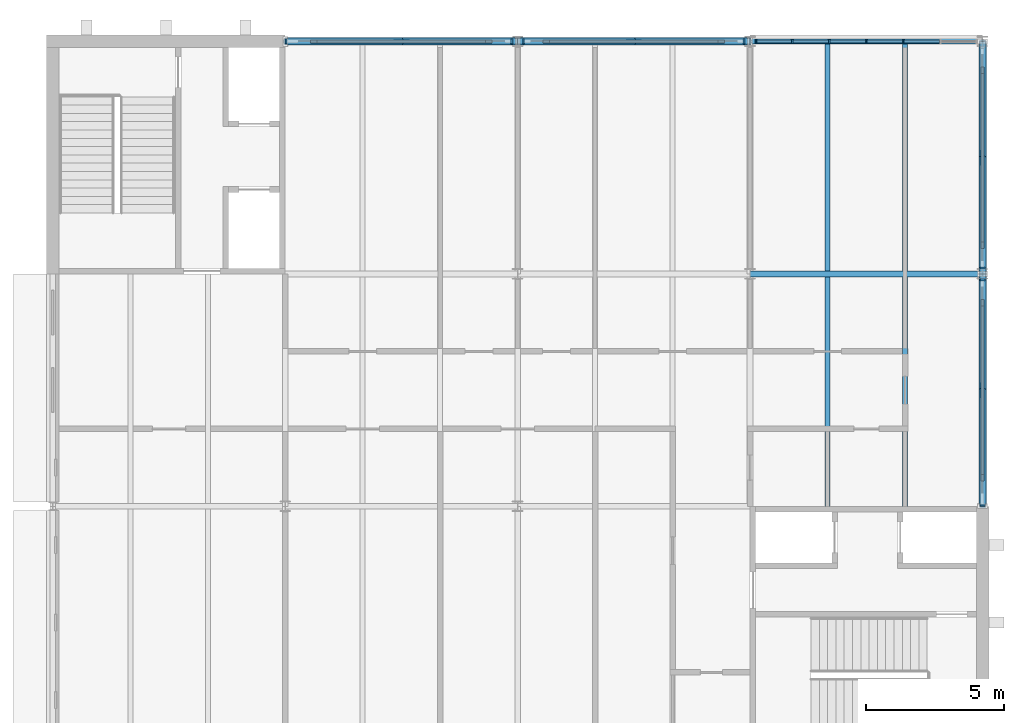
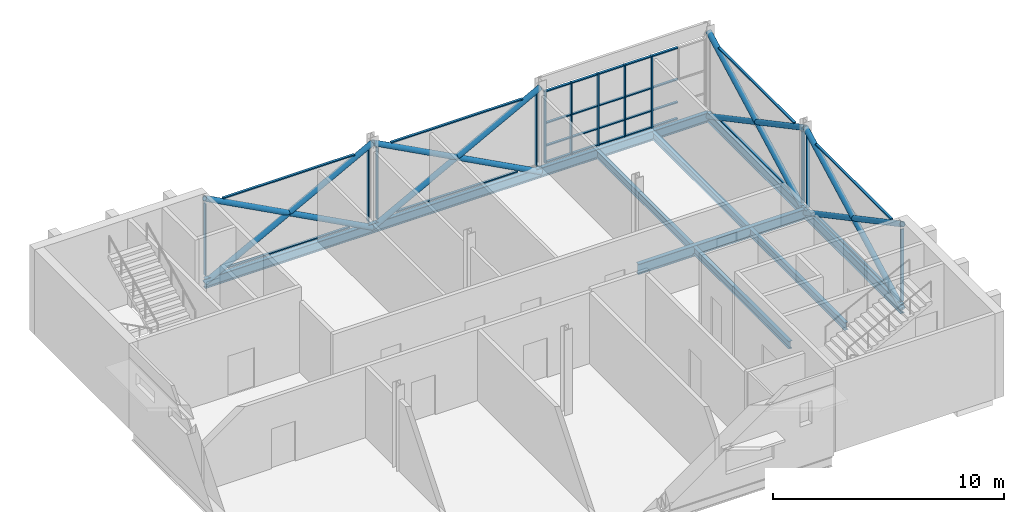
# One storey, part 8 of 22: 52 members, 10 beams, 5 elements without a shape of their own.
"""IFC4 building model written with IfcOpenShell, lengths in metres."""

from ifc_helpers import new_model, si_unit, direction, frame, origin, origin_2d, place, context, subcontext, project, spatial, rectangle, hollow_circle, i_section, extrude, material, layer, layer_set, material_profile, profile_set, type_object, element, aggregate, save


model = new_model("IFC4")

# Units and contexts
model_context = context("Model", 3, precision=1e-05, world=origin(), true_north=direction((0.0, 1.0)))
body_context = subcontext(model_context, "Body", "Model", "MODEL_VIEW")
ifc_project = project(units=[si_unit("LENGTHUNIT", "METRE"), si_unit("AREAUNIT", "SQUARE_METRE"), si_unit("VOLUMEUNIT", "CUBIC_METRE"), si_unit("PLANEANGLEUNIT", "RADIAN"), si_unit("MASSUNIT", "GRAM", prefix="KILO")], contexts=[model_context])

# Site, building, storey
site_placement = place(None, origin())
site = spatial("IfcSite", under=ifc_project, at=site_placement, CompositionType="ELEMENT")
building_placement = place(site_placement, origin())
building = spatial("IfcBuilding", under=site, at=building_placement, Name="Ardhachandra Cancer Care Centre", CompositionType="ELEMENT")
storey_placement = place(building_placement, frame((0.0, 0.0, 18.0)))
storey = spatial("IfcBuildingStorey", under=building, at=storey_placement, Name="L04", CompositionType="ELEMENT", Elevation=18.0)

# Beams
ifc_material_1 = material(Name="Steel E350 (IS 2062)", Category="steel")
ifc_material_profile_1 = material_profile(ifc_material_1, i_section(OverallWidth=0.179931640625, OverallDepth=0.39990234375, WebThickness=0.008544921875, FlangeThickness=0.013427734375, FilletRadius=0.02099609375, at=origin_2d()), Name="NPB 400x180x66.30")
ifc_profile_set_1 = profile_set([ifc_material_profile_1], Name="Steel E350 (IS 2062)")
beam_type_1 = type_object("IfcBeamType", Name="Beam NPB 400x180x66.30", PredefinedType="BEAM", material=ifc_profile_set_1)
beam_1_placement = place(storey_placement, frame((139.60009765625, 88.199951171875, -0.35009765625), z_axis=(0.0, 1.0, 0.0), x_axis=(-1.0, 0.0, 0.0)))
element("IfcBeam", 1, at=beam_1_placement, inside=storey, type_object=beam_type_1, Name="Secondary K16-L16@2800", PredefinedType="BEAM", context=body_context, shape_type="SweptSolid", body=[
    extrude(i_section(OverallWidth=0.179931640625, OverallDepth=0.39990234375, WebThickness=0.008544921875, FlangeThickness=0.013427734375, FilletRadius=0.02099609375, at=origin_2d()), origin(), (0.0, 0.0, 1.0), 8.295166015625),
])
beam_2_placement = place(storey_placement, frame((139.60009765625, 96.705078125, -0.35009765625), z_axis=(0.0, 1.0, 0.0), x_axis=(-1.0, 0.0, 0.0)))
element("IfcBeam", 2, at=beam_2_placement, inside=storey, type_object=beam_type_1, Name="Secondary L16-M16@2800", PredefinedType="BEAM", context=body_context, shape_type="SweptSolid", body=[
    extrude(i_section(OverallWidth=0.179931640625, OverallDepth=0.39990234375, WebThickness=0.008544921875, FlangeThickness=0.013427734375, FilletRadius=0.02099609375, at=origin_2d()), origin(), (0.0, 0.0, 1.0), 8.19482421875),
])
beam_3_placement = place(storey_placement, frame((142.39990234375, 88.199951171875, -0.35009765625), z_axis=(0.0, 1.0, 0.0), x_axis=(-1.0, 0.0, 0.0)))
element("IfcBeam", 3, at=beam_3_placement, inside=storey, type_object=beam_type_1, Name="Secondary K16-L16@5600", PredefinedType="BEAM", context=body_context, shape_type="SweptSolid", body=[
    extrude(i_section(OverallWidth=0.179931640625, OverallDepth=0.39990234375, WebThickness=0.008544921875, FlangeThickness=0.013427734375, FilletRadius=0.02099609375, at=origin_2d()), origin(), (0.0, 0.0, 1.0), 8.295166015625),
])
beam_4_placement = place(storey_placement, frame((142.39990234375, 96.705078125, -0.35009765625), z_axis=(0.0, 1.0, 0.0), x_axis=(-1.0, 0.0, 0.0)))
element("IfcBeam", 4, at=beam_4_placement, inside=storey, type_object=beam_type_1, Name="Secondary L16-M16@5600", PredefinedType="BEAM", context=body_context, shape_type="SweptSolid", body=[
    extrude(i_section(OverallWidth=0.179931640625, OverallDepth=0.39990234375, WebThickness=0.008544921875, FlangeThickness=0.013427734375, FilletRadius=0.02099609375, at=origin_2d()), origin(), (0.0, 0.0, 1.0), 8.19482421875),
])
ifc_material_2 = material(Name="Steel E350 (IS 2062)", Category="steel")
ifc_material_profile_2 = material_profile(ifc_material_2, i_section(OverallWidth=0.199951171875, OverallDepth=0.5, WebThickness=0.01025390625, FlangeThickness=0.01611328125, FilletRadius=0.02099609375, at=origin_2d()), Name="NPB 500x200x90.68")
ifc_profile_set_2 = profile_set([ifc_material_profile_2], Name="Steel E350 (IS 2062)")
beam_type_2 = type_object("IfcBeamType", Name="Beam NPB 500x200x90.68", PredefinedType="BEAM", material=ifc_profile_set_2)
beam_5_placement = place(storey_placement, frame((120.0, 105.0, -0.39990234375), z_axis=(1.0, 0.0, 0.0), x_axis=(0.0, 1.0, 0.0)))
element("IfcBeam", 5, at=beam_5_placement, inside=storey, type_object=beam_type_2, Name="Edge girder M14-M15", PredefinedType="BEAM", context=body_context, shape_type="SweptSolid", body=[
    extrude(i_section(OverallWidth=0.199951171875, OverallDepth=0.5, WebThickness=0.01025390625, FlangeThickness=0.01611328125, FilletRadius=0.02099609375, at=origin_2d()), origin(), (0.0, 0.0, 1.0), 8.39990234375),
])
beam_6_placement = place(storey_placement, frame((128.39990234375, 105.0, -0.39990234375), z_axis=(1.0, 0.0, 0.0), x_axis=(0.0, 1.0, 0.0)))
element("IfcBeam", 6, at=beam_6_placement, inside=storey, type_object=beam_type_2, Name="Edge girder M15-M16", PredefinedType="BEAM", context=body_context, shape_type="SweptSolid", body=[
    extrude(i_section(OverallWidth=0.199951171875, OverallDepth=0.5, WebThickness=0.01025390625, FlangeThickness=0.01611328125, FilletRadius=0.02099609375, at=origin_2d()), origin(), (0.0, 0.0, 1.0), 8.400146484375),
])
beam_7_placement = place(storey_placement, frame((136.800048828125, 105.0, -0.39990234375), z_axis=(1.0, 0.0, 0.0), x_axis=(0.0, 1.0, 0.0)))
element("IfcBeam", 7, at=beam_7_placement, inside=storey, type_object=beam_type_2, Name="Edge girder M16-M17", PredefinedType="BEAM", context=body_context, shape_type="SweptSolid", body=[
    extrude(i_section(OverallWidth=0.199951171875, OverallDepth=0.5, WebThickness=0.01025390625, FlangeThickness=0.01611328125, FilletRadius=0.02099609375, at=origin_2d()), origin(), (0.0, 0.0, 1.0), 8.39990234375),
])
beam_8_placement = place(storey_placement, frame((145.199951171875, 88.199951171875, -0.39990234375), z_axis=(0.0, 1.0, 0.0), x_axis=(-1.0, 0.0, 0.0)))
element("IfcBeam", 8, at=beam_8_placement, inside=storey, type_object=beam_type_2, Name="Edge girder K17-L17", PredefinedType="BEAM", context=body_context, shape_type="SweptSolid", body=[
    extrude(i_section(OverallWidth=0.199951171875, OverallDepth=0.5, WebThickness=0.01025390625, FlangeThickness=0.01611328125, FilletRadius=0.02099609375, at=origin_2d()), origin(), (0.0, 0.0, 1.0), 8.400146484375),
])
beam_9_placement = place(storey_placement, frame((145.199951171875, 96.60009765625, -0.39990234375), z_axis=(0.0, 1.0, 0.0), x_axis=(-1.0, 0.0, 0.0)))
element("IfcBeam", 9, at=beam_9_placement, inside=storey, type_object=beam_type_2, Name="Edge girder L17-M17", PredefinedType="BEAM", context=body_context, shape_type="SweptSolid", body=[
    extrude(i_section(OverallWidth=0.199951171875, OverallDepth=0.5, WebThickness=0.01025390625, FlangeThickness=0.01611328125, FilletRadius=0.02099609375, at=origin_2d()), origin(), (0.0, 0.0, 1.0), 8.39990234375),
])
ifc_material_3 = material(Name="Steel E350 (IS 2062)", Category="steel")
ifc_material_profile_3 = material_profile(ifc_material_3, i_section(OverallWidth=0.2099609375, OverallDepth=0.550048828125, WebThickness=0.010986328125, FlangeThickness=0.01708984375, FilletRadius=0.02392578125, at=origin_2d()), Name="NPB 550x210x105.52")
ifc_profile_set_3 = profile_set([ifc_material_profile_3], Name="Steel E350 (IS 2062)")
beam_type_3 = type_object("IfcBeamType", Name="Beam NPB 550x210x105.52", PredefinedType="BEAM", material=ifc_profile_set_3)
beam_10_placement = place(storey_placement, frame((136.800048828125, 96.60009765625, -0.425048828125), z_axis=(1.0, 0.0, 0.0), x_axis=(0.0, 1.0, 0.0)))
element("IfcBeam", 10, at=beam_10_placement, inside=storey, type_object=beam_type_3, Name="Girder L16-L17", PredefinedType="BEAM", context=body_context, shape_type="SweptSolid", body=[
    extrude(i_section(OverallWidth=0.2099609375, OverallDepth=0.550048828125, WebThickness=0.010986328125, FlangeThickness=0.01708984375, FilletRadius=0.02392578125, at=origin_2d()), origin(), (0.0, 0.0, 1.0), 8.39990234375),
])

# Members
ifc_material_4 = material(Name="Steel E350 (IS 2062)", Category="steel")
ifc_material_profile_4 = material_profile(ifc_material_4, hollow_circle(Radius=0.136474609375, WallThickness=0.010009765625, at=origin_2d()), Name="CHS 273x10.0")
ifc_profile_set_4 = profile_set([ifc_material_profile_4], Name="Steel E350 (IS 2062)")
member_type_1 = type_object("IfcMemberType", Name="Brace CHS 273x10.0", PredefinedType="BRACE", material=ifc_profile_set_4)
member_1_placement = place(storey_placement, frame((120.0, 105.0, -0.39990234375), z_axis=(0.882575099009, 0.0, 0.470171452355), x_axis=(0.0, 1.0, 0.0)))
element("IfcMember", 11, at=member_1_placement, inside=storey, type_object=member_type_1, Name="Brace V5-X1050-1200 L04 A", PredefinedType="BRACE", context=body_context, shape_type="SweptSolid", body=[
    extrude(hollow_circle(Radius=0.136474609375, WallThickness=0.010009765625, at=origin_2d()), origin(), (0.0, 0.0, 1.0), 9.517578125),
])
for number, where, z_axis, x_axis, name in (
    (12, (128.39990234375, 105.0, -0.39990234375), (-0.882585743414, 0.0, 0.470151470828), (0.0, -1.0, 0.0), "Brace V5-X1050-1200 L04 B1"),
    (13, (124.199951171875, 105.0, 1.83740234375), (-0.882564454407, 0.0, 0.47019143316), (0.0, -1.0, 0.0), "Brace V5-X1050-1200 L04 B2"),
):
    element("IfcMember", number, at=place(storey_placement, frame(where, z_axis=z_axis, x_axis=x_axis)), inside=storey, type_object=member_type_1, Name=name, PredefinedType="BRACE", context=body_context, shape_type="SweptSolid", body=[
        extrude(hollow_circle(Radius=0.136474609375, WallThickness=0.010009765625, at=origin_2d()), origin(), (0.0, 0.0, 1.0), 4.7587890625),
    ])
member_2_placement = place(storey_placement, frame((128.39990234375, 105.0, -0.39990234375), z_axis=(0.882580769429, 0.0, 0.470160808058), x_axis=(0.0, 1.0, 0.0)))
element("IfcMember", 14, at=member_2_placement, inside=storey, type_object=member_type_1, Name="Brace V5-X1050-1284 L04 A", PredefinedType="BRACE", context=body_context, shape_type="SweptSolid", body=[
    extrude(hollow_circle(Radius=0.136474609375, WallThickness=0.010009765625, at=origin_2d()), origin(), (0.0, 0.0, 1.0), 9.517822265625),
])
member_3_placement = place(storey_placement, frame((136.800048828125, 105.0, -0.39990234375), z_axis=(-0.882585743414, 0.0, 0.470151470828), x_axis=(0.0, -1.0, 0.0)))
element("IfcMember", 15, at=member_3_placement, inside=storey, type_object=member_type_1, Name="Brace V5-X1050-1284 L04 B1", PredefinedType="BRACE", context=body_context, shape_type="SweptSolid", body=[
    extrude(hollow_circle(Radius=0.136474609375, WallThickness=0.010009765625, at=origin_2d()), origin(), (0.0, 0.0, 1.0), 4.7587890625),
])
member_4_placement = place(storey_placement, frame((132.60009765625, 105.0, 1.83740234375), z_axis=(-0.88257579569, 0.0, 0.470170144588), x_axis=(0.0, -1.0, 0.0)))
element("IfcMember", 16, at=member_4_placement, inside=storey, type_object=member_type_1, Name="Brace V5-X1050-1284 L04 B2", PredefinedType="BRACE", context=body_context, shape_type="SweptSolid", body=[
    extrude(hollow_circle(Radius=0.136474609375, WallThickness=0.010009765625, at=origin_2d()), origin(), (0.0, 0.0, 1.0), 4.759033203125),
])
member_5_placement = place(storey_placement, frame((145.199951171875, 88.199951171875, -0.39990234375), z_axis=(0.0, 0.882580769429, 0.470160808058), x_axis=(-1.0, 0.0, 0.0)))
element("IfcMember", 17, at=member_5_placement, inside=storey, type_object=member_type_1, Name="Brace V5-Y1452-882 L04 A", PredefinedType="BRACE", context=body_context, shape_type="SweptSolid", body=[
    extrude(hollow_circle(Radius=0.136474609375, WallThickness=0.010009765625, at=origin_2d()), origin(), (0.0, 0.0, 1.0), 9.517822265625),
])
for number, where, z_axis, x_axis, name in (
    (18, (145.199951171875, 96.60009765625, -0.39990234375), (0.0, -0.882597083043, 0.470130183039), (1.0, 0.0, 0.0), "Brace V5-Y1452-882 L04 B1"),
    (19, (145.199951171875, 92.39990234375, 1.83740234375), (0.0, -0.882564454407, 0.47019143316), (1.0, 0.0, 0.0), "Brace V5-Y1452-882 L04 B2"),
):
    element("IfcMember", number, at=place(storey_placement, frame(where, z_axis=z_axis, x_axis=x_axis)), inside=storey, type_object=member_type_1, Name=name, PredefinedType="BRACE", context=body_context, shape_type="SweptSolid", body=[
        extrude(hollow_circle(Radius=0.136474609375, WallThickness=0.010009765625, at=origin_2d()), origin(), (0.0, 0.0, 1.0), 4.7587890625),
    ])
member_6_placement = place(storey_placement, frame((145.199951171875, 96.60009765625, -0.39990234375), z_axis=(0.0, 0.882575099009, 0.470171452355), x_axis=(-1.0, 0.0, 0.0)))
element("IfcMember", 20, at=member_6_placement, inside=storey, type_object=member_type_1, Name="Brace V5-Y1452-966 L04 A", PredefinedType="BRACE", context=body_context, shape_type="SweptSolid", body=[
    extrude(hollow_circle(Radius=0.136474609375, WallThickness=0.010009765625, at=origin_2d()), origin(), (0.0, 0.0, 1.0), 9.517578125),
])
for number, where, z_axis, x_axis, name in (
    (21, (145.199951171875, 105.0, -0.39990234375), (0.0, -0.882585743414, 0.470151470828), (1.0, 0.0, 0.0), "Brace V5-Y1452-966 L04 B1"),
    (22, (145.199951171875, 100.800048828125, 1.83740234375), (0.0, -0.882564454407, 0.47019143316), (1.0, 0.0, 0.0), "Brace V5-Y1452-966 L04 B2"),
):
    element("IfcMember", number, at=place(storey_placement, frame(where, z_axis=z_axis, x_axis=x_axis)), inside=storey, type_object=member_type_1, Name=name, PredefinedType="BRACE", context=body_context, shape_type="SweptSolid", body=[
        extrude(hollow_circle(Radius=0.136474609375, WallThickness=0.010009765625, at=origin_2d()), origin(), (0.0, 0.0, 1.0), 4.7587890625),
    ])

# Curtain wall, members
ifc_material_5 = material(Name="Aluminium extrusion", Category="aluminium")
ifc_layer = layer(ifc_material_5, 0.14990234375)
ifc_layer_set = layer_set([ifc_layer], Name="Aluminium extrusion")
curtain_wall_type = type_object("IfcCurtainWallType", Name="Curtain wall run", PredefinedType="NOTDEFINED", material=ifc_layer_set)
curtain_wall_1_placement = place(storey_placement, origin())
curtain_wall_1 = element("IfcCurtainWall", 23, at=curtain_wall_1_placement, inside=storey, type_object=curtain_wall_type, Name="Curtain wall L04 e/0145200_0088200", PredefinedType="NOTDEFINED")
ifc_material_6 = material(Name="Aluminium extrusion", Category="aluminium")
ifc_material_profile_5 = material_profile(ifc_material_6, rectangle(XDim=0.159912109375, YDim=0.06005859375, at=origin_2d()), Name="Curtain wall mullion 60 x 160")
ifc_profile_set_5 = profile_set([ifc_material_profile_5], Name="Aluminium extrusion")
member_type_2 = type_object("IfcMemberType", Name="Curtain wall mullion 60 x 160", PredefinedType="MULLION", material=ifc_profile_set_5)
member_7_placement = place(storey_placement, frame((145.199951171875, 88.22998046875, 0.0), z_axis=(0.0, 0.0, 1.0), x_axis=(-1.0, 0.0, 0.0)))
member_7 = element("IfcMember", 24, at=member_7_placement, type_object=member_type_2, Name="CW mullion 1", PredefinedType="MULLION", context=body_context, shape_type="SweptSolid", body=[
    extrude(rectangle(XDim=0.159912109375, YDim=0.06005859375, at=origin_2d()), origin(), (0.0, 0.0, 1.0), 3.800048828125),
])
member_8_placement = place(storey_placement, frame((145.199951171875, 96.387939453125, 0.0), z_axis=(0.0, 0.0, 1.0), x_axis=(-1.0, 0.0, 0.0)))
member_8 = element("IfcMember", 25, at=member_8_placement, type_object=member_type_2, Name="CW mullion 2", PredefinedType="MULLION", context=body_context, shape_type="SweptSolid", body=[
    extrude(rectangle(XDim=0.159912109375, YDim=0.06005859375, at=origin_2d()), origin(), (0.0, 0.0, 1.0), 3.7900390625),
])

# Curtain wall, member
curtain_wall_2_placement = place(storey_placement, origin())
curtain_wall_2 = element("IfcCurtainWall", 26, at=curtain_wall_2_placement, inside=storey, type_object=curtain_wall_type, Name="Curtain wall L04 e/0145200_0096600", PredefinedType="NOTDEFINED")
member_9_placement = place(storey_placement, frame((145.199951171875, 96.81201171875, 0.0), z_axis=(0.0, 0.0, 1.0), x_axis=(-1.0, 0.0, 0.0)))
member_9 = element("IfcMember", 27, at=member_9_placement, type_object=member_type_2, Name="CW mullion 1", PredefinedType="MULLION", context=body_context, shape_type="SweptSolid", body=[
    extrude(rectangle(XDim=0.159912109375, YDim=0.06005859375, at=origin_2d()), origin(), (0.0, 0.0, 1.0), 3.7900390625),
])

# Curtain wall, members
curtain_wall_3_placement = place(storey_placement, origin())
curtain_wall_3 = element("IfcCurtainWall", 28, at=curtain_wall_3_placement, inside=storey, type_object=curtain_wall_type, Name="Curtain wall L04 n/0120000_0105000", PredefinedType="NOTDEFINED")
member_10_placement = place(storey_placement, frame((120.030029296875, 105.0, 0.0), z_axis=(0.0, 0.0, 1.0), x_axis=(0.0, 1.0, 0.0)))
member_10 = element("IfcMember", 29, at=member_10_placement, type_object=member_type_2, Name="CW mullion 1", PredefinedType="MULLION", context=body_context, shape_type="SweptSolid", body=[
    extrude(rectangle(XDim=0.159912109375, YDim=0.06005859375, at=origin_2d()), origin(), (0.0, 0.0, 1.0), 3.800048828125),
])
member_11_placement = place(storey_placement, frame((128.1845703125, 105.0, 0.0), z_axis=(0.0, 0.0, 1.0), x_axis=(0.0, 1.0, 0.0)))
member_11 = element("IfcMember", 30, at=member_11_placement, type_object=member_type_2, Name="CW mullion 2", PredefinedType="MULLION", context=body_context, shape_type="SweptSolid", body=[
    extrude(rectangle(XDim=0.159912109375, YDim=0.06005859375, at=origin_2d()), origin(), (0.0, 0.0, 1.0), 3.7880859375),
])

curtain_wall_4_placement = place(storey_placement, origin())
curtain_wall_4 = element("IfcCurtainWall", 31, at=curtain_wall_4_placement, inside=storey, type_object=curtain_wall_type, Name="Curtain wall L04 n/0128400_0105000", PredefinedType="NOTDEFINED")
member_12_placement = place(storey_placement, frame((128.615478515625, 105.0, 0.0), z_axis=(0.0, 0.0, 1.0), x_axis=(0.0, 1.0, 0.0)))
member_12 = element("IfcMember", 32, at=member_12_placement, type_object=member_type_2, Name="CW mullion 1", PredefinedType="MULLION", context=body_context, shape_type="SweptSolid", body=[
    extrude(rectangle(XDim=0.159912109375, YDim=0.06005859375, at=origin_2d()), origin(), (0.0, 0.0, 1.0), 3.7880859375),
])
member_13_placement = place(storey_placement, frame((136.58447265625, 105.0, 0.0), z_axis=(0.0, 0.0, 1.0), x_axis=(0.0, 1.0, 0.0)))
member_13 = element("IfcMember", 33, at=member_13_placement, type_object=member_type_2, Name="CW mullion 2", PredefinedType="MULLION", context=body_context, shape_type="SweptSolid", body=[
    extrude(rectangle(XDim=0.159912109375, YDim=0.06005859375, at=origin_2d()), origin(), (0.0, 0.0, 1.0), 3.7880859375),
])

curtain_wall_5_placement = place(storey_placement, origin())
curtain_wall_5 = element("IfcCurtainWall", 34, at=curtain_wall_5_placement, inside=storey, type_object=curtain_wall_type, Name="Curtain wall L04 n/0136800_0105000", PredefinedType="NOTDEFINED")
member_14_placement = place(storey_placement, frame((137.015380859375, 105.0, 0.0), z_axis=(0.0, 0.0, 1.0), x_axis=(0.0, 1.0, 0.0)))
member_14 = element("IfcMember", 35, at=member_14_placement, type_object=member_type_2, Name="CW mullion 1", PredefinedType="MULLION", context=body_context, shape_type="SweptSolid", body=[
    extrude(rectangle(XDim=0.159912109375, YDim=0.06005859375, at=origin_2d()), origin(), (0.0, 0.0, 1.0), 3.800048828125),
])
member_15_placement = place(storey_placement, frame((138.32373046875, 105.0, 0.0), z_axis=(0.0, 0.0, 1.0), x_axis=(0.0, 1.0, 0.0)))
member_15 = element("IfcMember", 36, at=member_15_placement, type_object=member_type_2, Name="CW mullion 2", PredefinedType="MULLION", context=body_context, shape_type="SweptSolid", body=[
    extrude(rectangle(XDim=0.159912109375, YDim=0.06005859375, at=origin_2d()), origin(), (0.0, 0.0, 1.0), 3.800048828125),
])
member_16_placement = place(storey_placement, frame((139.661865234375, 105.0, 0.0), z_axis=(0.0, 0.0, 1.0), x_axis=(0.0, 1.0, 0.0)))
member_16 = element("IfcMember", 37, at=member_16_placement, type_object=member_type_2, Name="CW mullion 3", PredefinedType="MULLION", context=body_context, shape_type="SweptSolid", body=[
    extrude(rectangle(XDim=0.159912109375, YDim=0.06005859375, at=origin_2d()), origin(), (0.0, 0.0, 1.0), 3.800048828125),
])
member_17_placement = place(storey_placement, frame((141.0, 105.0, 0.0), z_axis=(0.0, 0.0, 1.0), x_axis=(0.0, 1.0, 0.0)))
member_17 = element("IfcMember", 38, at=member_17_placement, type_object=member_type_2, Name="CW mullion 4", PredefinedType="MULLION", context=body_context, shape_type="SweptSolid", body=[
    extrude(rectangle(XDim=0.159912109375, YDim=0.06005859375, at=origin_2d()), origin(), (0.0, 0.0, 1.0), 3.800048828125),
])
member_18_placement = place(storey_placement, frame((142.338134765625, 105.0, 0.0), z_axis=(0.0, 0.0, 1.0), x_axis=(0.0, 1.0, 0.0)))
member_18 = element("IfcMember", 39, at=member_18_placement, type_object=member_type_2, Name="CW mullion 5", PredefinedType="MULLION", context=body_context, shape_type="SweptSolid", body=[
    extrude(rectangle(XDim=0.159912109375, YDim=0.06005859375, at=origin_2d()), origin(), (0.0, 0.0, 1.0), 3.800048828125),
])

# Member
ifc_material_7 = material(Name="Aluminium extrusion", Category="aluminium")
ifc_material_profile_6 = material_profile(ifc_material_7, rectangle(XDim=0.1201171875, YDim=0.06005859375, at=origin_2d()), Name="Curtain wall transom 60 x 120")
ifc_profile_set_6 = profile_set([ifc_material_profile_6], Name="Aluminium extrusion")
member_type_3 = type_object("IfcMemberType", Name="Curtain wall transom 60 x 120", PredefinedType="USERDEFINED", material=ifc_profile_set_6)
member_19_placement = place(storey_placement, frame((145.199951171875, 89.356201171875, 0.030029296875), z_axis=(0.0, 1.0, 0.0), x_axis=(-1.0, 0.0, 0.0)))
member_19 = element("IfcMember", 40, at=member_19_placement, type_object=member_type_3, Name="CW transom 1.1", ObjectType="TRANSOM", PredefinedType="USERDEFINED", context=body_context, shape_type="SweptSolid", body=[
    extrude(rectangle(XDim=0.1201171875, YDim=0.06005859375, at=origin_2d()), origin(), (0.0, 0.0, 1.0), 6.08740234375),
])

member_20_placement = place(storey_placement, frame((145.199951171875, 89.12158203125, 3.77001953125), z_axis=(0.0, 1.0, 0.0), x_axis=(-1.0, 0.0, 0.0)))
member_20 = element("IfcMember", 41, at=member_20_placement, type_object=member_type_3, Name="CW transom 1.2", ObjectType="TRANSOM", PredefinedType="USERDEFINED", context=body_context, shape_type="SweptSolid", body=[
    extrude(rectangle(XDim=0.1201171875, YDim=0.06005859375, at=origin_2d()), origin(), (0.0, 0.0, 1.0), 6.556884765625),
])

aggregate(curtain_wall_1, [member_7, member_8, member_19, member_20])

member_21_placement = place(storey_placement, frame((145.199951171875, 97.75634765625, 0.030029296875), z_axis=(0.0, 1.0, 0.0), x_axis=(-1.0, 0.0, 0.0)))
member_21 = element("IfcMember", 42, at=member_21_placement, type_object=member_type_3, Name="CW transom 1.1", ObjectType="TRANSOM", PredefinedType="USERDEFINED", context=body_context, shape_type="SweptSolid", body=[
    extrude(rectangle(XDim=0.1201171875, YDim=0.06005859375, at=origin_2d()), origin(), (0.0, 0.0, 1.0), 6.08740234375),
])

member_22_placement = place(storey_placement, frame((145.199951171875, 97.521728515625, 3.77001953125), z_axis=(0.0, 1.0, 0.0), x_axis=(-1.0, 0.0, 0.0)))
member_22 = element("IfcMember", 43, at=member_22_placement, type_object=member_type_3, Name="CW transom 1.2", ObjectType="TRANSOM", PredefinedType="USERDEFINED", context=body_context, shape_type="SweptSolid", body=[
    extrude(rectangle(XDim=0.1201171875, YDim=0.06005859375, at=origin_2d()), origin(), (0.0, 0.0, 1.0), 6.556640625),
])

aggregate(curtain_wall_2, [member_9, member_21, member_22])

member_23_placement = place(storey_placement, frame((121.15625, 105.0, 0.030029296875), z_axis=(1.0, 0.0, 0.0), x_axis=(0.0, 1.0, 0.0)))
member_23 = element("IfcMember", 44, at=member_23_placement, type_object=member_type_3, Name="CW transom 1.1", ObjectType="TRANSOM", PredefinedType="USERDEFINED", context=body_context, shape_type="SweptSolid", body=[
    extrude(rectangle(XDim=0.1201171875, YDim=0.06005859375, at=origin_2d()), origin(), (0.0, 0.0, 1.0), 6.08740234375),
])

member_24_placement = place(storey_placement, frame((120.921630859375, 105.0, 3.77001953125), z_axis=(1.0, 0.0, 0.0), x_axis=(0.0, 1.0, 0.0)))
member_24 = element("IfcMember", 45, at=member_24_placement, type_object=member_type_3, Name="CW transom 1.2", ObjectType="TRANSOM", PredefinedType="USERDEFINED", context=body_context, shape_type="SweptSolid", body=[
    extrude(rectangle(XDim=0.1201171875, YDim=0.06005859375, at=origin_2d()), origin(), (0.0, 0.0, 1.0), 6.556640625),
])

aggregate(curtain_wall_3, [member_10, member_11, member_23, member_24])

member_25_placement = place(storey_placement, frame((129.556396484375, 105.0, 0.030029296875), z_axis=(1.0, 0.0, 0.0), x_axis=(0.0, 1.0, 0.0)))
member_25 = element("IfcMember", 46, at=member_25_placement, type_object=member_type_3, Name="CW transom 1.1", ObjectType="TRANSOM", PredefinedType="USERDEFINED", context=body_context, shape_type="SweptSolid", body=[
    extrude(rectangle(XDim=0.1201171875, YDim=0.06005859375, at=origin_2d()), origin(), (0.0, 0.0, 1.0), 6.08740234375),
])

member_26_placement = place(storey_placement, frame((129.321533203125, 105.0, 3.77001953125), z_axis=(1.0, 0.0, 0.0), x_axis=(0.0, 1.0, 0.0)))
member_26 = element("IfcMember", 47, at=member_26_placement, type_object=member_type_3, Name="CW transom 1.2", ObjectType="TRANSOM", PredefinedType="USERDEFINED", context=body_context, shape_type="SweptSolid", body=[
    extrude(rectangle(XDim=0.1201171875, YDim=0.06005859375, at=origin_2d()), origin(), (0.0, 0.0, 1.0), 6.556884765625),
])

aggregate(curtain_wall_4, [member_12, member_13, member_25, member_26])

member_27_placement = place(storey_placement, frame((137.04541015625, 105.0, 0.030029296875), z_axis=(1.0, 0.0, 0.0), x_axis=(0.0, 1.0, 0.0)))
member_27 = element("IfcMember", 48, at=member_27_placement, type_object=member_type_3, Name="CW transom 1.1", ObjectType="TRANSOM", PredefinedType="USERDEFINED", context=body_context, shape_type="SweptSolid", body=[
    extrude(rectangle(XDim=0.1201171875, YDim=0.06005859375, at=origin_2d()), origin(), (0.0, 0.0, 1.0), 1.248291015625),
])

member_28_placement = place(storey_placement, frame((137.04541015625, 105.0, 0.89990234375), z_axis=(1.0, 0.0, 0.0), x_axis=(0.0, 1.0, 0.0)))
member_28 = element("IfcMember", 49, at=member_28_placement, type_object=member_type_3, Name="CW transom 1.2", ObjectType="TRANSOM", PredefinedType="USERDEFINED", context=body_context, shape_type="SweptSolid", body=[
    extrude(rectangle(XDim=0.1201171875, YDim=0.06005859375, at=origin_2d()), origin(), (0.0, 0.0, 1.0), 1.248291015625),
])

member_29_placement = place(storey_placement, frame((137.04541015625, 105.0, 2.10009765625), z_axis=(1.0, 0.0, 0.0), x_axis=(0.0, 1.0, 0.0)))
member_29 = element("IfcMember", 50, at=member_29_placement, type_object=member_type_3, Name="CW transom 1.3", ObjectType="TRANSOM", PredefinedType="USERDEFINED", context=body_context, shape_type="SweptSolid", body=[
    extrude(rectangle(XDim=0.1201171875, YDim=0.06005859375, at=origin_2d()), origin(), (0.0, 0.0, 1.0), 1.248291015625),
])

member_30_placement = place(storey_placement, frame((137.04541015625, 105.0, 3.77001953125), z_axis=(1.0, 0.0, 0.0), x_axis=(0.0, 1.0, 0.0)))
member_30 = element("IfcMember", 51, at=member_30_placement, type_object=member_type_3, Name="CW transom 1.4", ObjectType="TRANSOM", PredefinedType="USERDEFINED", context=body_context, shape_type="SweptSolid", body=[
    extrude(rectangle(XDim=0.1201171875, YDim=0.06005859375, at=origin_2d()), origin(), (0.0, 0.0, 1.0), 1.248291015625),
])

member_31_placement = place(storey_placement, frame((138.353759765625, 105.0, 0.030029296875), z_axis=(1.0, 0.0, 0.0), x_axis=(0.0, 1.0, 0.0)))
member_31 = element("IfcMember", 52, at=member_31_placement, type_object=member_type_3, Name="CW transom 2.1", ObjectType="TRANSOM", PredefinedType="USERDEFINED", context=body_context, shape_type="SweptSolid", body=[
    extrude(rectangle(XDim=0.1201171875, YDim=0.06005859375, at=origin_2d()), origin(), (0.0, 0.0, 1.0), 1.278076171875),
])

member_32_placement = place(storey_placement, frame((138.353759765625, 105.0, 0.89990234375), z_axis=(1.0, 0.0, 0.0), x_axis=(0.0, 1.0, 0.0)))
member_32 = element("IfcMember", 53, at=member_32_placement, type_object=member_type_3, Name="CW transom 2.2", ObjectType="TRANSOM", PredefinedType="USERDEFINED", context=body_context, shape_type="SweptSolid", body=[
    extrude(rectangle(XDim=0.1201171875, YDim=0.06005859375, at=origin_2d()), origin(), (0.0, 0.0, 1.0), 1.278076171875),
])

member_33_placement = place(storey_placement, frame((138.353759765625, 105.0, 2.10009765625), z_axis=(1.0, 0.0, 0.0), x_axis=(0.0, 1.0, 0.0)))
member_33 = element("IfcMember", 54, at=member_33_placement, type_object=member_type_3, Name="CW transom 2.3", ObjectType="TRANSOM", PredefinedType="USERDEFINED", context=body_context, shape_type="SweptSolid", body=[
    extrude(rectangle(XDim=0.1201171875, YDim=0.06005859375, at=origin_2d()), origin(), (0.0, 0.0, 1.0), 1.278076171875),
])

member_34_placement = place(storey_placement, frame((138.353759765625, 105.0, 3.77001953125), z_axis=(1.0, 0.0, 0.0), x_axis=(0.0, 1.0, 0.0)))
member_34 = element("IfcMember", 55, at=member_34_placement, type_object=member_type_3, Name="CW transom 2.4", ObjectType="TRANSOM", PredefinedType="USERDEFINED", context=body_context, shape_type="SweptSolid", body=[
    extrude(rectangle(XDim=0.1201171875, YDim=0.06005859375, at=origin_2d()), origin(), (0.0, 0.0, 1.0), 1.278076171875),
])

member_35_placement = place(storey_placement, frame((139.69189453125, 105.0, 0.030029296875), z_axis=(1.0, 0.0, 0.0), x_axis=(0.0, 1.0, 0.0)))
member_35 = element("IfcMember", 56, at=member_35_placement, type_object=member_type_3, Name="CW transom 3.1", ObjectType="TRANSOM", PredefinedType="USERDEFINED", context=body_context, shape_type="SweptSolid", body=[
    extrude(rectangle(XDim=0.1201171875, YDim=0.06005859375, at=origin_2d()), origin(), (0.0, 0.0, 1.0), 1.278076171875),
])

member_36_placement = place(storey_placement, frame((139.69189453125, 105.0, 0.89990234375), z_axis=(1.0, 0.0, 0.0), x_axis=(0.0, 1.0, 0.0)))
member_36 = element("IfcMember", 57, at=member_36_placement, type_object=member_type_3, Name="CW transom 3.2", ObjectType="TRANSOM", PredefinedType="USERDEFINED", context=body_context, shape_type="SweptSolid", body=[
    extrude(rectangle(XDim=0.1201171875, YDim=0.06005859375, at=origin_2d()), origin(), (0.0, 0.0, 1.0), 1.278076171875),
])

member_37_placement = place(storey_placement, frame((139.69189453125, 105.0, 2.10009765625), z_axis=(1.0, 0.0, 0.0), x_axis=(0.0, 1.0, 0.0)))
member_37 = element("IfcMember", 58, at=member_37_placement, type_object=member_type_3, Name="CW transom 3.3", ObjectType="TRANSOM", PredefinedType="USERDEFINED", context=body_context, shape_type="SweptSolid", body=[
    extrude(rectangle(XDim=0.1201171875, YDim=0.06005859375, at=origin_2d()), origin(), (0.0, 0.0, 1.0), 1.278076171875),
])

member_38_placement = place(storey_placement, frame((139.69189453125, 105.0, 3.77001953125), z_axis=(1.0, 0.0, 0.0), x_axis=(0.0, 1.0, 0.0)))
member_38 = element("IfcMember", 59, at=member_38_placement, type_object=member_type_3, Name="CW transom 3.4", ObjectType="TRANSOM", PredefinedType="USERDEFINED", context=body_context, shape_type="SweptSolid", body=[
    extrude(rectangle(XDim=0.1201171875, YDim=0.06005859375, at=origin_2d()), origin(), (0.0, 0.0, 1.0), 1.278076171875),
])

member_39_placement = place(storey_placement, frame((141.030029296875, 105.0, 0.030029296875), z_axis=(1.0, 0.0, 0.0), x_axis=(0.0, 1.0, 0.0)))
member_39 = element("IfcMember", 60, at=member_39_placement, type_object=member_type_3, Name="CW transom 4.1", ObjectType="TRANSOM", PredefinedType="USERDEFINED", context=body_context, shape_type="SweptSolid", body=[
    extrude(rectangle(XDim=0.1201171875, YDim=0.06005859375, at=origin_2d()), origin(), (0.0, 0.0, 1.0), 1.278076171875),
])

member_40_placement = place(storey_placement, frame((141.030029296875, 105.0, 0.89990234375), z_axis=(1.0, 0.0, 0.0), x_axis=(0.0, 1.0, 0.0)))
member_40 = element("IfcMember", 61, at=member_40_placement, type_object=member_type_3, Name="CW transom 4.2", ObjectType="TRANSOM", PredefinedType="USERDEFINED", context=body_context, shape_type="SweptSolid", body=[
    extrude(rectangle(XDim=0.1201171875, YDim=0.06005859375, at=origin_2d()), origin(), (0.0, 0.0, 1.0), 1.278076171875),
])

member_41_placement = place(storey_placement, frame((141.030029296875, 105.0, 2.10009765625), z_axis=(1.0, 0.0, 0.0), x_axis=(0.0, 1.0, 0.0)))
member_41 = element("IfcMember", 62, at=member_41_placement, type_object=member_type_3, Name="CW transom 4.3", ObjectType="TRANSOM", PredefinedType="USERDEFINED", context=body_context, shape_type="SweptSolid", body=[
    extrude(rectangle(XDim=0.1201171875, YDim=0.06005859375, at=origin_2d()), origin(), (0.0, 0.0, 1.0), 1.278076171875),
])

member_42_placement = place(storey_placement, frame((141.030029296875, 105.0, 3.77001953125), z_axis=(1.0, 0.0, 0.0), x_axis=(0.0, 1.0, 0.0)))
member_42 = element("IfcMember", 63, at=member_42_placement, type_object=member_type_3, Name="CW transom 4.4", ObjectType="TRANSOM", PredefinedType="USERDEFINED", context=body_context, shape_type="SweptSolid", body=[
    extrude(rectangle(XDim=0.1201171875, YDim=0.06005859375, at=origin_2d()), origin(), (0.0, 0.0, 1.0), 1.278076171875),
])

member_43_placement = place(storey_placement, frame((142.3681640625, 105.0, 0.030029296875), z_axis=(1.0, 0.0, 0.0), x_axis=(0.0, 1.0, 0.0)))
member_43 = element("IfcMember", 64, at=member_43_placement, type_object=member_type_3, Name="CW transom 5.1", ObjectType="TRANSOM", PredefinedType="USERDEFINED", context=body_context, shape_type="SweptSolid", body=[
    extrude(rectangle(XDim=0.1201171875, YDim=0.06005859375, at=origin_2d()), origin(), (0.0, 0.0, 1.0), 1.278076171875),
])

member_44_placement = place(storey_placement, frame((142.3681640625, 105.0, 0.89990234375), z_axis=(1.0, 0.0, 0.0), x_axis=(0.0, 1.0, 0.0)))
member_44 = element("IfcMember", 65, at=member_44_placement, type_object=member_type_3, Name="CW transom 5.2", ObjectType="TRANSOM", PredefinedType="USERDEFINED", context=body_context, shape_type="SweptSolid", body=[
    extrude(rectangle(XDim=0.1201171875, YDim=0.06005859375, at=origin_2d()), origin(), (0.0, 0.0, 1.0), 1.278076171875),
])

member_45_placement = place(storey_placement, frame((142.3681640625, 105.0, 2.10009765625), z_axis=(1.0, 0.0, 0.0), x_axis=(0.0, 1.0, 0.0)))
member_45 = element("IfcMember", 66, at=member_45_placement, type_object=member_type_3, Name="CW transom 5.3", ObjectType="TRANSOM", PredefinedType="USERDEFINED", context=body_context, shape_type="SweptSolid", body=[
    extrude(rectangle(XDim=0.1201171875, YDim=0.06005859375, at=origin_2d()), origin(), (0.0, 0.0, 1.0), 1.278076171875),
])

member_46_placement = place(storey_placement, frame((142.3681640625, 105.0, 3.77001953125), z_axis=(1.0, 0.0, 0.0), x_axis=(0.0, 1.0, 0.0)))
member_46 = element("IfcMember", 67, at=member_46_placement, type_object=member_type_3, Name="CW transom 5.4", ObjectType="TRANSOM", PredefinedType="USERDEFINED", context=body_context, shape_type="SweptSolid", body=[
    extrude(rectangle(XDim=0.1201171875, YDim=0.06005859375, at=origin_2d()), origin(), (0.0, 0.0, 1.0), 1.278076171875),
])

aggregate(curtain_wall_5, [member_14, member_15, member_16, member_17, member_18, member_27, member_28, member_29, member_30, member_31, member_32, member_33, member_34, member_35, member_36, member_37, member_38, member_39, member_40, member_41, member_42, member_43, member_44, member_45, member_46])

save(model, "model.ifc")
